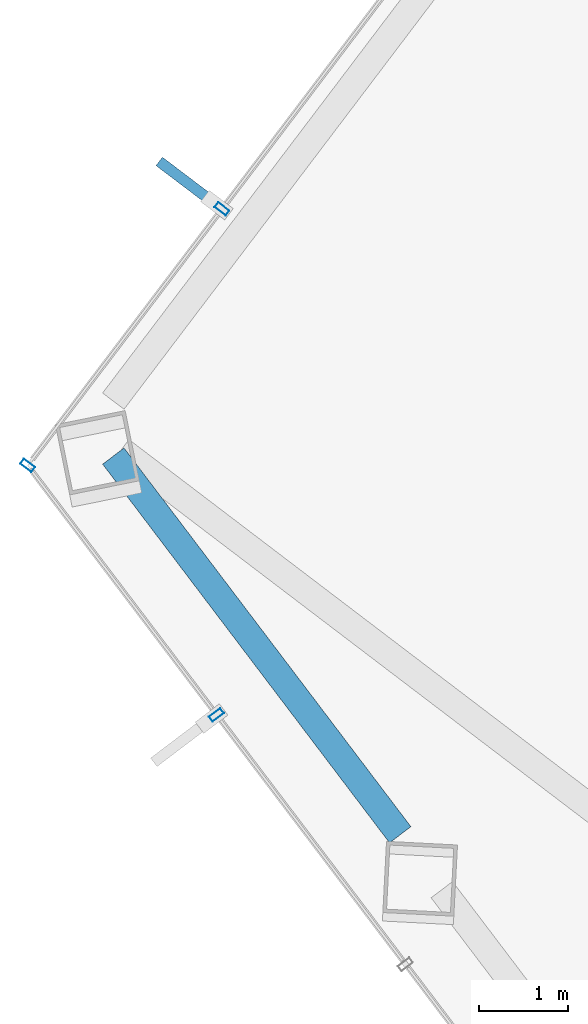
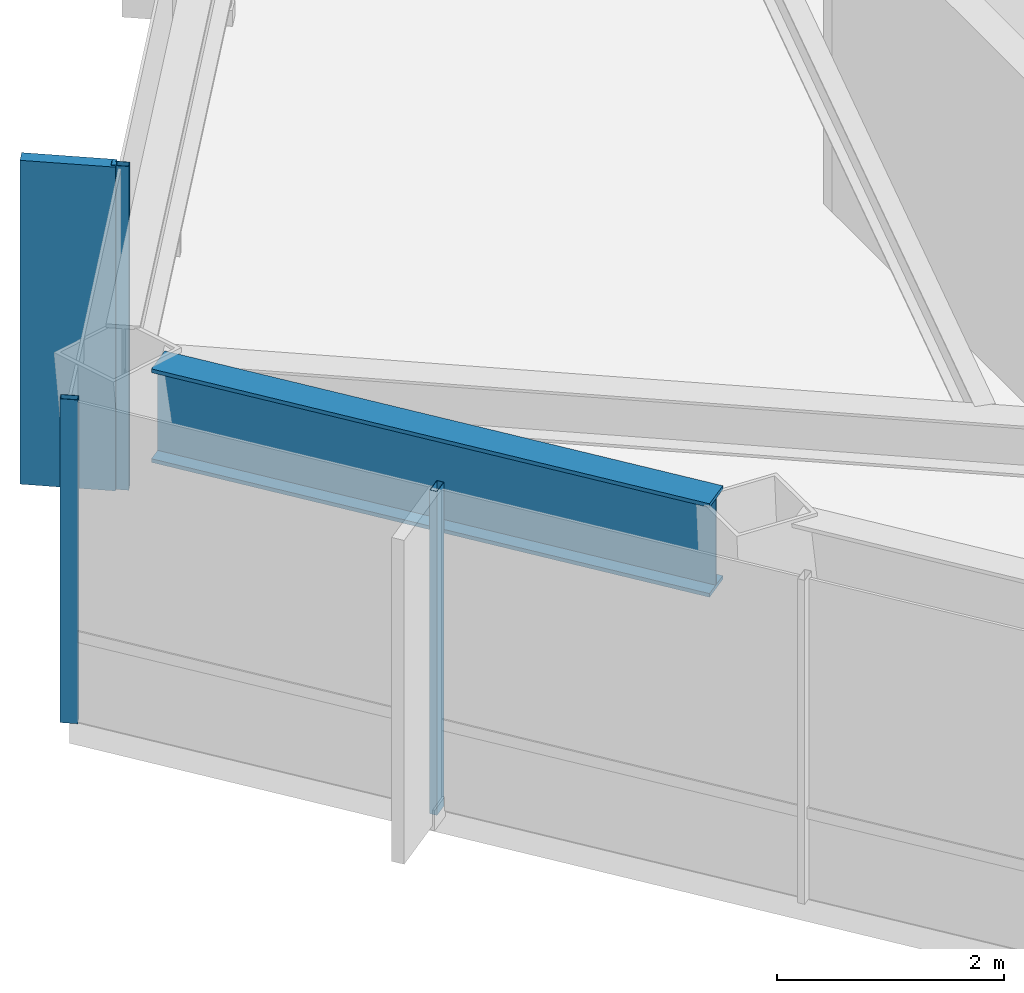
# One storey, part 10 of 28: 4 members, 1 beam, 2 elements without a shape of their own.
"""IFC4 building model written with IfcOpenShell, lengths in metres."""

import ifcopenshell
import ifcopenshell.guid

model = None  # the IFC model being written
_history = None  # IfcOwnerHistory: only IFC2X3 demands one
_inside = {}  # id of a spatial element -> (the spatial element, [elements in it])
_under = {}  # id of a project, library or spatial element -> (it, [spatial elements below it])
_declared = {}  # id of a project -> (the project, [libraries it declares])
_typed = {}  # id of a type object -> (the type object, [elements of that type])
_made_of = {}  # id of a material, layer set ... -> (it, [elements and type objects made of it])


def new_model(schema):
    """Start an empty IFC model of exactly this schema.

    Asked for "IFC4X3", IfcOpenShell would pick the latest addendum, in which some entities
    have other attributes; the version numbers below select the first issue.
    IFC2X3 requires an IfcOwnerHistory on every rooted entity: one is made here for all.
    """
    global model, _history
    if schema == "IFC4X3":
        model = ifcopenshell.file(schema_version=(4, 3, 0, 0))
    else:
        model = ifcopenshell.file(schema=schema)
    _inside.clear()
    _under.clear()
    _declared.clear()
    _typed.clear()
    _made_of.clear()
    _history = None
    if model.schema == "IFC2X3":
        org = make("IfcOrganization", Name="unknown")
        user = make(
            "IfcPersonAndOrganization",
            ThePerson=make("IfcPerson", FamilyName="unknown"),
            TheOrganization=org,
        )
        app = make(
            "IfcApplication",
            ApplicationDeveloper=org,
            Version="unknown",
            ApplicationFullName="unknown",
            ApplicationIdentifier="unknown",
        )
        _history = make(
            "IfcOwnerHistory",
            OwningUser=user,
            OwningApplication=app,
            ChangeAction="ADDED",
            CreationDate=0,
        )
    return model


def make(cls, **values):
    """One entity of the class cls with the attributes given. An attribute that is None is left unset."""
    return model.create_entity(
        cls, **{name: value for name, value in values.items() if value is not None}
    )


def rooted(cls, **values):
    """An entity with a GlobalId (a new one), such as an element, a storey or a relation."""
    return make(cls, GlobalId=ifcopenshell.guid.new(), OwnerHistory=_history, **values)


def si_unit(unit_type, name, prefix=None):
    """IfcSIUnit, for example si_unit("LENGTHUNIT", "METRE", prefix="MILLI")."""
    return make("IfcSIUnit", UnitType=unit_type, Prefix=prefix, Name=name)


def assignment(units):
    """IfcUnitAssignment: the units of a project."""
    return None if units is None else make("IfcUnitAssignment", Units=units)


def point(xyz):
    """IfcCartesianPoint."""
    return None if xyz is None else make("IfcCartesianPoint", Coordinates=xyz)


def direction(xyz):
    """IfcDirection."""
    return None if xyz is None else make("IfcDirection", DirectionRatios=xyz)


def frame(location, z_axis=None, x_axis=None):
    """IfcAxis2Placement3D, a coordinate frame: its origin and axes. An axis left out is left unset."""
    return make(
        "IfcAxis2Placement3D",
        Location=point(location),
        Axis=direction(z_axis),
        RefDirection=direction(x_axis),
    )


def frame_2d(location, x_axis=None):
    """IfcAxis2Placement2D, a coordinate frame in the plane: its origin and x axis."""
    return make(
        "IfcAxis2Placement2D", Location=point(location), RefDirection=direction(x_axis)
    )


def origin():
    """The frame at (0, 0, 0) with its axes left unset."""
    return frame((0.0, 0.0, 0.0))


def origin_2d():
    """The frame at (0, 0) in the plane with its x axis left unset."""
    return frame_2d((0.0, 0.0))


def place(relative_to, where):
    """IfcLocalPlacement: puts the frame where relative to a parent placement (None: the world)."""
    return make(
        "IfcLocalPlacement", PlacementRelTo=relative_to, RelativePlacement=where
    )


def context(
    kind, dimensions, precision=None, world=None, true_north=None, identifier=None
):
    """IfcGeometricRepresentationContext, for example the 3D "Model" context."""
    return make(
        "IfcGeometricRepresentationContext",
        ContextIdentifier=identifier,
        ContextType=kind,
        CoordinateSpaceDimension=dimensions,
        Precision=precision,
        WorldCoordinateSystem=world,
        TrueNorth=true_north,
    )


def subcontext(parent, identifier, kind, view, scale=None):
    """IfcGeometricRepresentationSubContext, for example "Body" below "Model"."""
    return make(
        "IfcGeometricRepresentationSubContext",
        ContextIdentifier=identifier,
        ContextType=kind,
        ParentContext=parent,
        TargetScale=scale,
        TargetView=view,
    )


def project(units=None, contexts=None):
    """IfcProject with its units and contexts."""
    return rooted(
        "IfcProject",
        Name="project",
        RepresentationContexts=contexts,
        UnitsInContext=assignment(units),
    )


def spatial(cls, under=None, at=None, **own):
    """A site, building, storey or space (cls), placed at a placement, below another one or the project."""
    s = rooted(cls, ObjectPlacement=at, **own)
    if under is not None:
        _under.setdefault(under.id(), (under, []))[1].append(s)
    return s


def profile(cls, at=None, kind="AREA", **sizes):
    """A parametric profile (cls). Its sizes go by their IFC names, for example OverallWidth=200.0."""
    return make(cls, ProfileType=kind, Position=at, **sizes)


def rectangle(**sizes):
    """IfcRectangleProfileDef."""
    return profile("IfcRectangleProfileDef", **sizes)


def hollow_rectangle(**sizes):
    """IfcRectangleHollowProfileDef."""
    return profile("IfcRectangleHollowProfileDef", **sizes)


def i_section(**sizes):
    """IfcIShapeProfileDef."""
    return profile("IfcIShapeProfileDef", **sizes)


def extrude(swept, where, along, depth):
    """IfcExtrudedAreaSolid: the profile swept, set in the frame where, extruded along a direction by depth."""
    return make(
        "IfcExtrudedAreaSolid",
        SweptArea=swept,
        Position=where,
        ExtrudedDirection=direction(along),
        Depth=depth,
    )


def shape(context_of_items, identifier, shape_type, items):
    """IfcShapeRepresentation: the items that make up one representation, for example the "Body"."""
    return make(
        "IfcShapeRepresentation",
        ContextOfItems=context_of_items,
        RepresentationIdentifier=identifier,
        RepresentationType=shape_type,
        Items=items,
    )


def material(Name=None, Category=None):
    """IfcMaterial."""
    return make("IfcMaterial", Name=Name, Category=Category)


def layer(
    of_material, thickness, ventilated=None, Name=None, Category=None, Priority=None
):
    """IfcMaterialLayer: one layer of a wall or slab, of a material (None: an air gap)."""
    return make(
        "IfcMaterialLayer",
        Material=of_material,
        LayerThickness=thickness,
        IsVentilated=ventilated,
        Name=Name,
        Category=Category,
        Priority=Priority,
    )


def layer_set(layers, Name=None):
    """IfcMaterialLayerSet."""
    return make("IfcMaterialLayerSet", MaterialLayers=layers, LayerSetName=Name)


def material_profile(
    of_material, cross_section, Name=None, Category=None, Priority=None
):
    """IfcMaterialProfile: a cross section and its material."""
    return make(
        "IfcMaterialProfile",
        Name=Name,
        Material=of_material,
        Profile=cross_section,
        Priority=Priority,
        Category=Category,
    )


def profile_set(profiles, Name=None, composite=None):
    """IfcMaterialProfileSet."""
    return make(
        "IfcMaterialProfileSet",
        Name=Name,
        MaterialProfiles=profiles,
        CompositeProfile=composite,
    )


def made_of(thing, what):
    """Note that an element or type object is made of a material, layer set ...; save() writes the relation."""
    if what is not None:
        _made_of.setdefault(what.id(), (what, []))[1].append(thing)
    return thing


def type_object(cls, material=None, **own):
    """A type object (cls), such as IfcWallType, which elements share."""
    return made_of(rooted(cls, **own), material)


def element(
    cls,
    number,
    at=None,
    inside=None,
    cuts=None,
    type_object=None,
    material=None,
    context=None,
    identifier="Body",
    shape_type=None,
    held_by="IfcProductDefinitionShape",
    body=None,
    shapes=None,
    **own,
):
    """One element of the class cls, such as IfcWall. Its Tag is "e" and its number.

    at: its placement. inside: the storey or other place that contains it. cuts: it is an
    opening in that element (IfcRelVoidsElement). A single representation is given by context,
    identifier, shape_type and body (its items); several are given by shapes. held_by: the class
    of the entity that holds the representations. save() writes the other relations.
    """
    e = rooted(cls, Tag="e%d" % number, ObjectPlacement=at, **own)
    if body is not None:
        shapes = [shape(context, identifier, shape_type, body)]
    if shapes is not None:
        e.Representation = make(held_by, Representations=shapes)
    if inside is not None:
        _inside.setdefault(inside.id(), (inside, []))[1].append(e)
    if cuts is not None:
        rooted(
            "IfcRelVoidsElement", RelatingBuildingElement=cuts, RelatedOpeningElement=e
        )
    if type_object is not None:
        _typed.setdefault(type_object.id(), (type_object, []))[1].append(e)
    return made_of(e, material)


def aggregate(whole, parts):
    """IfcRelAggregates: a whole, such as a stair, and the parts it consists of."""
    return rooted("IfcRelAggregates", RelatingObject=whole, RelatedObjects=parts)


def save(model, path):
    """Write the relations noted so far, then the file.

    IfcRelAggregates (storeys below a building ...), IfcRelContainedInSpatialStructure (elements
    in a storey), IfcRelDefinesByType, IfcRelAssociatesMaterial and IfcRelDeclares: one each for
    every whole, place, type object, material and project.
    """
    for whole, parts in _under.values():
        aggregate(whole, parts)
    for where, things in _inside.values():
        rooted(
            "IfcRelContainedInSpatialStructure",
            RelatedElements=things,
            RelatingStructure=where,
        )
    for kind, things in _typed.values():
        rooted("IfcRelDefinesByType", RelatedObjects=things, RelatingType=kind)
    for what, things in _made_of.values():
        rooted("IfcRelAssociatesMaterial", RelatedObjects=things, RelatingMaterial=what)
    for by, libraries in _declared.values():
        rooted("IfcRelDeclares", RelatingContext=by, RelatedDefinitions=libraries)
    model.write(path)


model = new_model("IFC4")

# Units and contexts
model_context = context("Model", 3, precision=1e-05, world=origin(), true_north=direction((0.0, 1.0)))
body_context = subcontext(model_context, "Body", "Model", "MODEL_VIEW")
ifc_project = project(units=[si_unit("LENGTHUNIT", "METRE"), si_unit("AREAUNIT", "SQUARE_METRE"), si_unit("VOLUMEUNIT", "CUBIC_METRE"), si_unit("PLANEANGLEUNIT", "RADIAN"), si_unit("MASSUNIT", "GRAM", prefix="KILO")], contexts=[model_context])

# Site, building, storey
site_placement = place(None, origin())
site = spatial("IfcSite", under=ifc_project, at=site_placement, CompositionType="ELEMENT")
building_placement = place(site_placement, origin())
building = spatial("IfcBuilding", under=site, at=building_placement, Name="Zarrinselat Tower", CompositionType="ELEMENT")
storey_placement = place(building_placement, frame((0.0, 0.0, 153.340087890625)))
storey = spatial("IfcBuildingStorey", under=building, at=storey_placement, Name="L37", CompositionType="ELEMENT", Elevation=153.340087890625)

# Beam
ifc_material_1 = material(Name="Steel S460M", Category="steel")
ifc_material_profile_1 = material_profile(ifc_material_1, i_section(OverallWidth=0.302001953125, OverallDepth=1.008056640625, WebThickness=0.02099609375, FlangeThickness=0.0400390625, at=origin_2d()), Name="HEM 1000")
ifc_profile_set_1 = profile_set([ifc_material_profile_1], Name="Steel S460M")
beam_type = type_object("IfcBeamType", Name="BM-HEM1000", PredefinedType="BEAM", material=ifc_profile_set_1)
beam_placement = place(storey_placement, frame((16.29736328125, 37.588623046875, 2.98583984375), z_axis=(0.603871751824, -0.797081493543, 0.0), x_axis=(0.797081493543, 0.603871751824, 0.0)))
element("IfcBeam", 1, at=beam_placement, inside=storey, type_object=beam_type, Name="L37 Perimeter Spandrel Girder SP06", PredefinedType="BEAM", context=body_context, shape_type="SweptSolid", body=[
    extrude(i_section(OverallWidth=0.302001953125, OverallDepth=1.008056640625, WebThickness=0.02099609375, FlangeThickness=0.0400390625, at=origin_2d()), origin(), (0.0, 0.0, 1.0), 5.34765625),
])

# Curtain wall, members
ifc_material_2 = material(Name="Extruded Aluminium Alloy EN AW-6063 T6", Category="aluminium")
ifc_layer = layer(ifc_material_2, 0.175048828125)
ifc_layer_set = layer_set([ifc_layer], Name="Extruded Aluminium Alloy EN AW-6063 T6")
curtain_wall_type = type_object("IfcCurtainWallType", Name="CWS-HTL", PredefinedType="NOTDEFINED", material=ifc_layer_set)
curtain_wall_1_placement = place(storey_placement, origin())
curtain_wall_1 = element("IfcCurtainWall", 2, at=curtain_wall_1_placement, inside=storey, type_object=curtain_wall_type, Name="L37 Unitised Curtain Wall CW-L37-E02", PredefinedType="NOTDEFINED")
ifc_material_3 = material(Name="Extruded Aluminium Alloy EN AW-6063 T6", Category="aluminium")
ifc_material_profile_2 = material_profile(ifc_material_3, hollow_rectangle(XDim=0.070068359375, YDim=0.159912109375, WallThickness=0.00390625, at=origin_2d()), Name="RHS 160x70x4")
ifc_profile_set_2 = profile_set([ifc_material_profile_2], Name="Extruded Aluminium Alloy EN AW-6063 T6")
member_type_1 = type_object("IfcMemberType", Name="MEM-CW-MUL2", PredefinedType="MULLION", material=ifc_profile_set_2)
member_1_placement = place(storey_placement, frame((17.519287109375, 40.370849609375, 0.0), z_axis=(0.0, 0.0, 1.0), x_axis=(-0.603857687995, -0.797092148154, 0.0)))
member_1 = element("IfcMember", 3, at=member_1_placement, type_object=member_type_1, Name="CW-L37-E02 Mullion 3", PredefinedType="MULLION", context=body_context, shape_type="SweptSolid", body=[
    extrude(hollow_rectangle(XDim=0.070068359375, YDim=0.159912109375, WallThickness=0.00390625, at=origin_2d()), origin(), (0.0, 0.0, 1.0), 3.489990234375),
])
member_2_placement = place(storey_placement, frame((15.331787109375, 37.4833984375, 0.0), z_axis=(0.0, 0.0, 1.0), x_axis=(-0.603857687995, -0.797092148154, 0.0)))
member_2 = element("IfcMember", 4, at=member_2_placement, type_object=member_type_1, Name="CW-L37-E02 Mullion 4", PredefinedType="MULLION", context=body_context, shape_type="SweptSolid", body=[
    extrude(hollow_rectangle(XDim=0.070068359375, YDim=0.159912109375, WallThickness=0.00390625, at=origin_2d()), origin(), (0.0, 0.0, 1.0), 3.489990234375),
])

# Curtain wall, member
curtain_wall_2_placement = place(storey_placement, origin())
curtain_wall_2 = element("IfcCurtainWall", 5, at=curtain_wall_2_placement, inside=storey, type_object=curtain_wall_type, Name="L37 Unitised Curtain Wall CW-L37-E03", PredefinedType="NOTDEFINED")
member_3_placement = place(storey_placement, frame((17.45849609375, 34.67578125, 0.0), z_axis=(0.0, 0.0, 1.0), x_axis=(0.603856985167, -0.7970926806, 0.0)))
member_3 = element("IfcMember", 6, at=member_3_placement, type_object=member_type_1, Name="CW-L37-E03 Mullion 1", PredefinedType="MULLION", context=body_context, shape_type="SweptSolid", body=[
    extrude(hollow_rectangle(XDim=0.070068359375, YDim=0.159912109375, WallThickness=0.00390625, at=origin_2d()), origin(), (0.0, 0.0, 1.0), 3.489990234375),
])
aggregate(curtain_wall_2, [member_3])

# Member
ifc_material_4 = material(Name="Honed Cream Travertine Stone", Category="masonry")
ifc_material_profile_3 = material_profile(ifc_material_4, rectangle(XDim=0.1201171875, YDim=0.85009765625, at=origin_2d()), Name="FIN 850x120")
ifc_profile_set_3 = profile_set([ifc_material_profile_3], Name="Honed Cream Travertine Stone")
member_type_2 = type_object("IfcMemberType", Name="MEM-STONE-FIN", PredefinedType="USERDEFINED", material=ifc_profile_set_3)
member_4_placement = place(storey_placement, frame((17.152587890625, 40.648681640625, 0.0), z_axis=(0.0, 0.0, 1.0), x_axis=(0.603857687995, 0.797092148154, 0.0)))
member_4 = element("IfcMember", 7, at=member_4_placement, type_object=member_type_2, Name="L37 Stone Shading Fin CW-L37-E02-03", ObjectType="FIN", PredefinedType="USERDEFINED", context=body_context, shape_type="SweptSolid", body=[
    extrude(rectangle(XDim=0.1201171875, YDim=0.85009765625, at=origin_2d()), origin(), (0.0, 0.0, 1.0), 3.489990234375),
])

aggregate(curtain_wall_1, [member_1, member_4, member_2])

save(model, "model.ifc")
